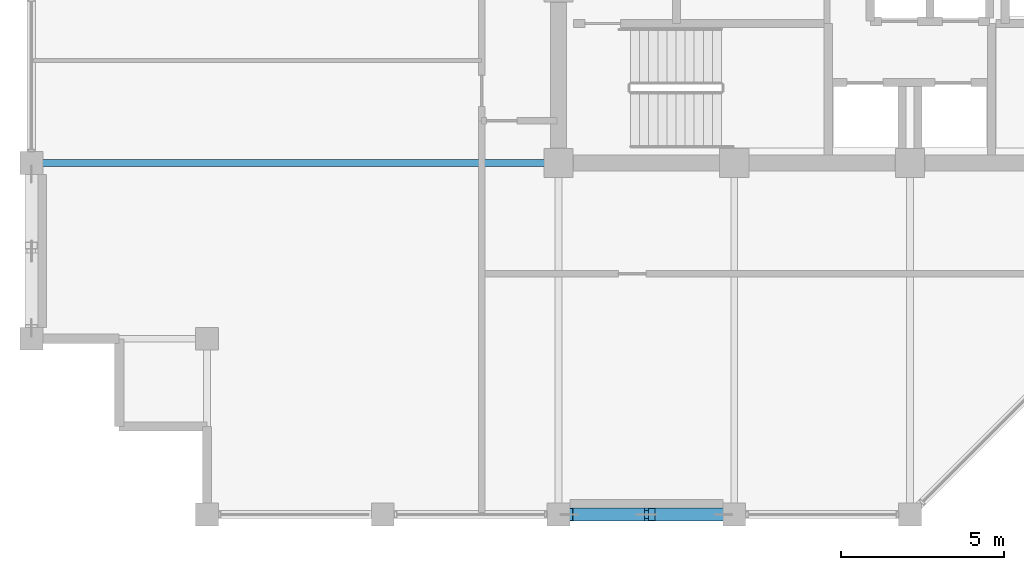
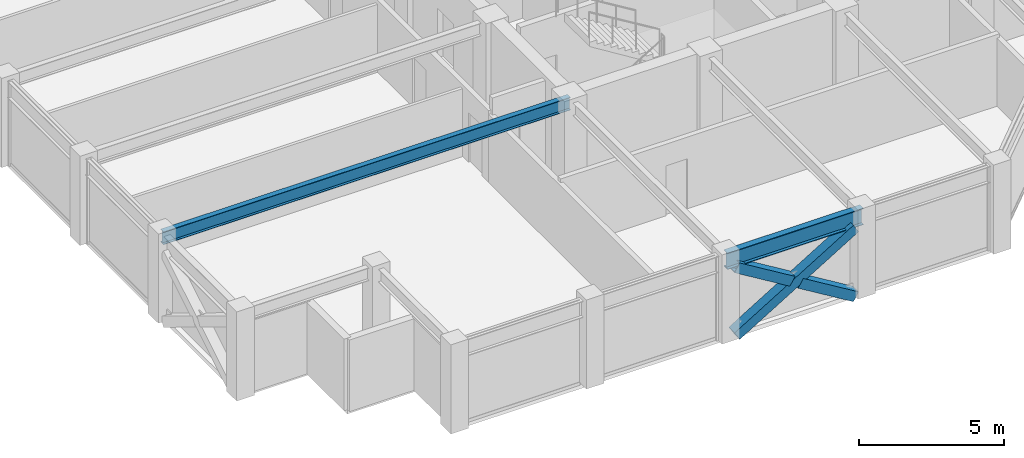
# One storey, part 5 of 31: 3 members, 2 beams.
"""IFC4 building model written with IfcOpenShell, lengths in metres."""

from ifc_helpers import new_model, si_unit, direction, frame, origin, origin_2d, place, context, subcontext, project, spatial, hollow_rectangle, i_section, extrude, material, material_profile, profile_set, type_object, element, save


model = new_model("IFC4")

# Units and contexts
model_context = context("Model", 3, precision=1e-05, world=origin(), true_north=direction((0.0, 1.0)))
body_context = subcontext(model_context, "Body", "Model", "MODEL_VIEW")
ifc_project = project(units=[si_unit("LENGTHUNIT", "METRE"), si_unit("AREAUNIT", "SQUARE_METRE"), si_unit("VOLUMEUNIT", "CUBIC_METRE"), si_unit("PLANEANGLEUNIT", "RADIAN"), si_unit("MASSUNIT", "GRAM", prefix="KILO")], contexts=[model_context])

# Site, building, storey
site_placement = place(None, origin())
site = spatial("IfcSite", under=ifc_project, at=site_placement, CompositionType="ELEMENT")
building_placement = place(site_placement, origin())
building = spatial("IfcBuilding", under=site, at=building_placement, Name="Surkhivell Harbour Commons", CompositionType="ELEMENT")
storey_placement = place(building_placement, frame((0.0, 0.0, 288.75)))
storey = spatial("IfcBuildingStorey", under=building, at=storey_placement, Name="L75", CompositionType="ELEMENT", Elevation=288.75)

# Beams
ifc_material_1 = material(Name="Steel S355", Category="steel")
ifc_material_profile_1 = material_profile(ifc_material_1, i_section(OverallWidth=0.2099609375, OverallDepth=0.537109375, WebThickness=0.0107421875, FlangeThickness=0.017333984375, at=origin_2d()), Name="UB533x210x101")
ifc_profile_set_1 = profile_set([ifc_material_profile_1], Name="Steel S355")
beam_type_1 = type_object("IfcBeamType", Name="BM-GRD-533B", PredefinedType="BEAM", material=ifc_profile_set_1)
beam_1_placement = place(storey_placement, frame((-27.0, -10.800048828125, 3.301513671875), z_axis=(1.0, 0.0, 0.0), x_axis=(0.0, 1.0, 0.0)))
element("IfcBeam", 1, at=beam_1_placement, inside=storey, type_object=beam_type_1, Name="L75 Floor Girder (-27.0,-10.8)", PredefinedType="BEAM", context=body_context, shape_type="SweptSolid", body=[
    extrude(i_section(OverallWidth=0.2099609375, OverallDepth=0.537109375, WebThickness=0.0107421875, FlangeThickness=0.017333984375, at=origin_2d()), origin(), (0.0, 0.0, 1.0), 16.199951171875),
])
ifc_material_profile_2 = material_profile(ifc_material_1, i_section(OverallWidth=0.256103515625, OverallDepth=0.693115234375, WebThickness=0.014404296875, FlangeThickness=0.023681640625, at=origin_2d()), Name="UB686x254x170")
ifc_profile_set_2 = profile_set([ifc_material_profile_2], Name="Steel S355")
beam_type_2 = type_object("IfcBeamType", Name="BM-SPN-686", PredefinedType="SPANDREL", material=ifc_profile_set_2)
beam_2_placement = place(storey_placement, frame((-10.800048828125, -21.60009765625, 3.223388671875), z_axis=(1.0, 0.0, 0.0), x_axis=(0.0, 1.0, 0.0)))
element("IfcBeam", 2, at=beam_2_placement, inside=storey, type_object=beam_type_2, Name="L75 Tube Spandrel (-10.8,-21.6)", PredefinedType="SPANDREL", context=body_context, shape_type="SweptSolid", body=[
    extrude(i_section(OverallWidth=0.256103515625, OverallDepth=0.693115234375, WebThickness=0.014404296875, FlangeThickness=0.023681640625, at=origin_2d()), origin(), (0.0, 0.0, 1.0), 5.400146484375),
])

# Members
ifc_material_2 = material(Name="Steel S460", Category="steel")
ifc_material_profile_3 = material_profile(ifc_material_2, hollow_rectangle(XDim=0.39990234375, YDim=0.39990234375, WallThickness=0.02001953125, at=origin_2d()), Name="SHS400x400x20")
ifc_profile_set_3 = profile_set([ifc_material_profile_3], Name="Steel S460")
member_type = type_object("IfcMemberType", Name="MEM-BRC-SHS400", PredefinedType="BRACE", material=ifc_profile_set_3)
member_1_placement = place(storey_placement, frame((-10.465087890625, -21.60009765625, 0.008056640625), z_axis=(0.854685454322, 0.0, 0.519146197299), x_axis=(0.0, 1.0, 0.0)))
element("IfcMember", 3, at=member_1_placement, inside=storey, type_object=member_type, Name="L75 Perimeter Mega-Brace MB- 07", PredefinedType="BRACE", context=body_context, shape_type="SweptSolid", body=[
    extrude(hollow_rectangle(XDim=0.39990234375, YDim=0.39990234375, WallThickness=0.02001953125, at=origin_2d()), origin(), (0.0, 0.0, 1.0), 5.5341796875),
])
member_2_placement = place(storey_placement, frame((-5.735107421875, -21.60009765625, 0.008056640625), z_axis=(-0.854694361898, 0.0, 0.519131532215), x_axis=(0.0, -1.0, 0.0)))
element("IfcMember", 4, at=member_2_placement, inside=storey, type_object=member_type, Name="L75 Perimeter Mega-Brace MB- 08", PredefinedType="BRACE", context=body_context, shape_type="SweptSolid", body=[
    extrude(hollow_rectangle(XDim=0.39990234375, YDim=0.39990234375, WallThickness=0.02001953125, at=origin_2d()), origin(), (0.0, 0.0, 1.0), 2.57470703125),
])
member_3_placement = place(storey_placement, frame((-8.26416015625, -21.60009765625, 1.544189453125), z_axis=(-0.854677846108, 0.0, 0.519158722716), x_axis=(0.0, -1.0, 0.0)))
element("IfcMember", 5, at=member_3_placement, inside=storey, type_object=member_type, Name="L75 Perimeter Mega-Brace MB- 09", PredefinedType="BRACE", context=body_context, shape_type="SweptSolid", body=[
    extrude(hollow_rectangle(XDim=0.39990234375, YDim=0.39990234375, WallThickness=0.02001953125, at=origin_2d()), origin(), (0.0, 0.0, 1.0), 2.5751953125),
])

save(model, "model.ifc")
